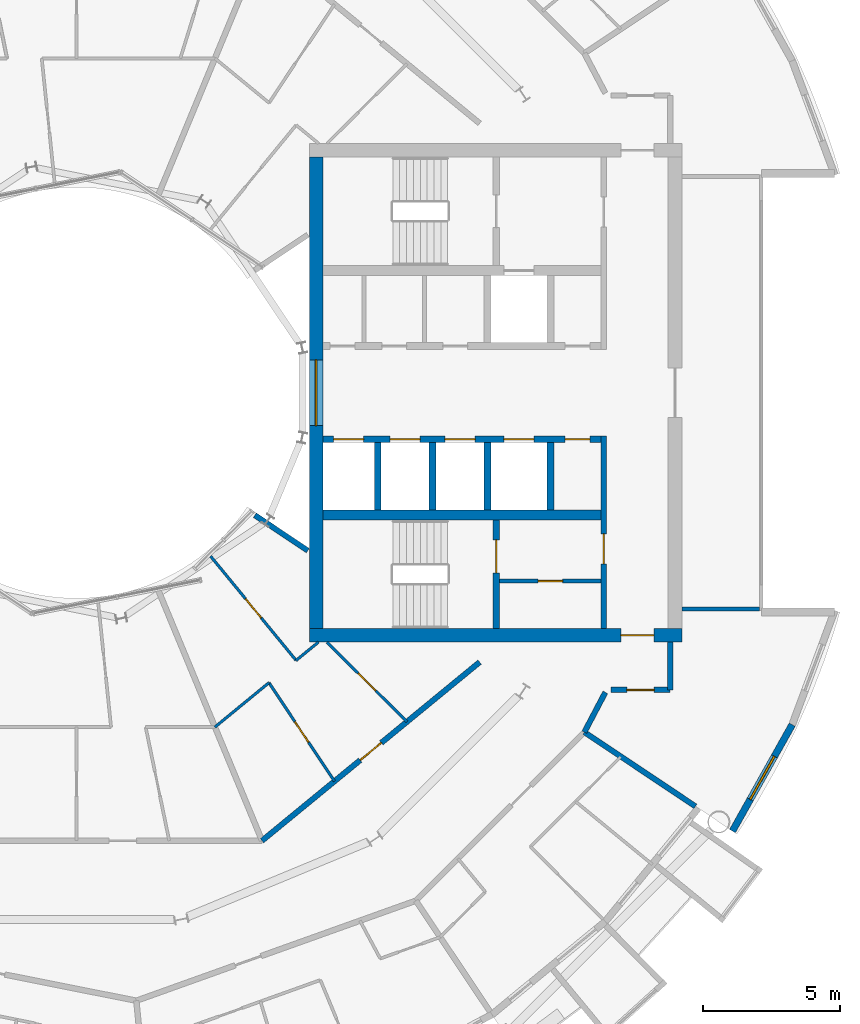
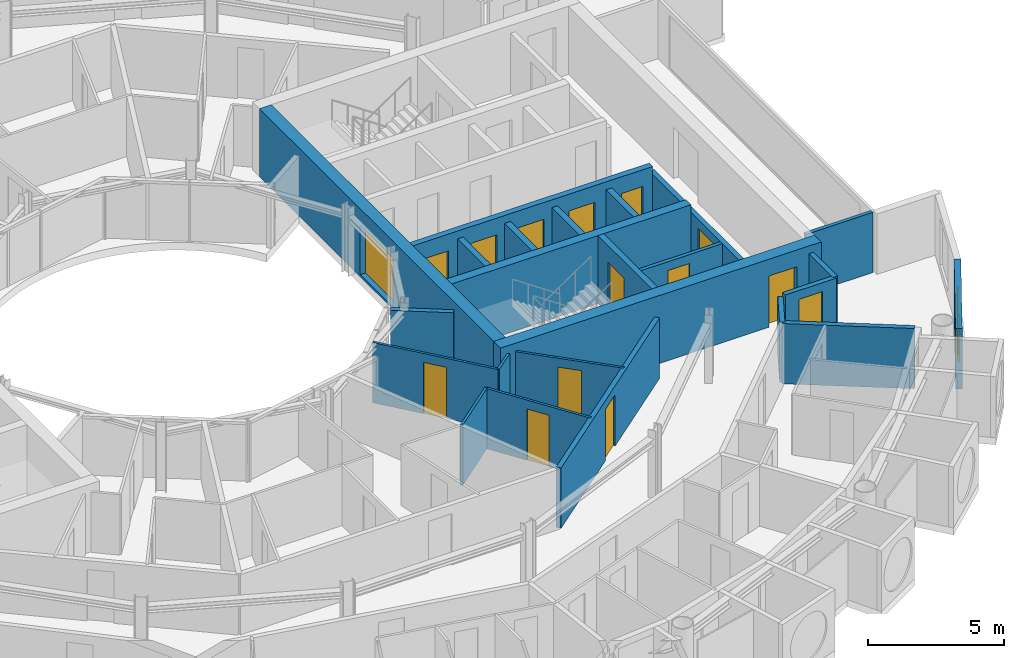
# One storey, part 18 of 28: 24 walls, 14 doors, 2 windows, 16 openings.
"""IFC4 building model written with IfcOpenShell, lengths in metres."""

from ifc_helpers import new_model, si_unit, direction, frame, frame_2d, origin, place, context, subcontext, project, spatial, rectangle, extrude, material, layer, layer_set, type_object, element, fill, save


model = new_model("IFC4")

# Units and contexts
model_context = context("Model", 3, precision=1e-05, world=origin(), true_north=direction((0.0, 1.0)))
body_context = subcontext(model_context, "Body", "Model", "MODEL_VIEW")
ifc_project = project(units=[si_unit("LENGTHUNIT", "METRE"), si_unit("AREAUNIT", "SQUARE_METRE"), si_unit("VOLUMEUNIT", "CUBIC_METRE"), si_unit("PLANEANGLEUNIT", "RADIAN"), si_unit("MASSUNIT", "GRAM", prefix="KILO")], contexts=[model_context])

# Site, building, storey
site_placement = place(None, origin())
site = spatial("IfcSite", under=ifc_project, at=site_placement, CompositionType="ELEMENT")
building_placement = place(site_placement, origin())
building = spatial("IfcBuilding", under=site, at=building_placement, Name="Maasbend Ring Residences", CompositionType="ELEMENT")
storey_placement = place(building_placement, frame((0.0, 0.0, 173.800048828125)))
storey = spatial("IfcBuildingStorey", under=building, at=storey_placement, Name="L50", CompositionType="ELEMENT", Elevation=173.800048828125)

# Wall, openings, doors
ifc_material_1 = material(Name="Concrete C60/75", Category="concrete")
ifc_layer_1 = layer(ifc_material_1, 0.25)
ifc_layer_set_1 = layer_set([ifc_layer_1], Name="Concrete C60/75")
wall_type_1 = type_object("IfcWallType", Name="CORE WALL 250 C60/75", PredefinedType="SHEAR", material=ifc_layer_set_1)
wall_1_placement = place(storey_placement, frame((19.14990234375, -1.699951171875, 0.0), z_axis=(0.0, 0.0, 1.0), x_axis=(-1.0, 0.0, 0.0)))
wall_1 = element("IfcWall", 1, at=wall_1_placement, inside=storey, type_object=wall_type_1, Name="L50 core E wall SPS", PredefinedType="SHEAR", context=body_context, shape_type="SweptSolid", body=[
    extrude(rectangle(XDim=10.14990234375, YDim=0.25, at=frame_2d((5.074951171875, 0.0))), origin(), (0.0, 0.0, 1.0), 3.050048828125),
])
opening_1_placement = place(wall_1_placement, frame((8.66259765625, 0.0, 0.0)))
opening_1 = element("IfcOpeningElement", 2, at=opening_1_placement, cuts=wall_1, Name="Opening LD-E5002", PredefinedType="OPENING", context=body_context, shape_type="SweptSolid", body=[
    extrude(rectangle(XDim=1.10009765625, YDim=2.300048828125, at=frame_2d((0.550048828125, 1.14990234375))), frame((0.0, 0.135009765625, 0.0), z_axis=(0.0, -1.0, 0.0), x_axis=(1.0, 0.0, 0.0)), (0.0, 0.0, 1.0), 0.27001953125),
])
opening_2_placement = place(wall_1_placement, frame((6.60009765625, 0.0, 0.0)))
opening_2 = element("IfcOpeningElement", 3, at=opening_2_placement, cuts=wall_1, Name="Opening LD-E5003", PredefinedType="OPENING", context=body_context, shape_type="SweptSolid", body=[
    extrude(rectangle(XDim=1.10009765625, YDim=2.300048828125, at=frame_2d((0.550048828125, 1.14990234375))), frame((0.0, 0.135009765625, 0.0), z_axis=(0.0, -1.0, 0.0), x_axis=(1.0, 0.0, 0.0)), (0.0, 0.0, 1.0), 0.27001953125),
])
opening_3_placement = place(wall_1_placement, frame((4.60009765625, 0.0, 0.0)))
opening_3 = element("IfcOpeningElement", 4, at=opening_3_placement, cuts=wall_1, Name="Opening LD-E5004", PredefinedType="OPENING", context=body_context, shape_type="SweptSolid", body=[
    extrude(rectangle(XDim=1.10009765625, YDim=2.300048828125, at=frame_2d((0.550048828125, 1.14990234375))), frame((0.0, 0.135009765625, 0.0), z_axis=(0.0, -1.0, 0.0), x_axis=(1.0, 0.0, 0.0)), (0.0, 0.0, 1.0), 0.27001953125),
])
opening_4_placement = place(wall_1_placement, frame((2.449951171875, 0.0, 0.0)))
opening_4 = element("IfcOpeningElement", 5, at=opening_4_placement, cuts=wall_1, Name="Opening LD-E5005", PredefinedType="OPENING", context=body_context, shape_type="SweptSolid", body=[
    extrude(rectangle(XDim=1.10009765625, YDim=2.300048828125, at=frame_2d((0.550048828125, 1.14990234375))), frame((0.0, 0.135009765625, 0.0), z_axis=(0.0, -1.0, 0.0), x_axis=(1.0, 0.0, 0.0)), (0.0, 0.0, 1.0), 0.27001953125),
])
opening_5_placement = place(wall_1_placement, frame((0.41259765625, 0.0, 0.0)))
opening_5 = element("IfcOpeningElement", 6, at=opening_5_placement, cuts=wall_1, Name="Opening D-E5010", PredefinedType="OPENING", context=body_context, shape_type="SweptSolid", body=[
    extrude(rectangle(XDim=0.89990234375, YDim=2.300048828125, at=frame_2d((0.449951171875, 1.14990234375))), frame((0.0, 0.135009765625, 0.0), z_axis=(0.0, -1.0, 0.0), x_axis=(1.0, 0.0, 0.0)), (0.0, 0.0, 1.0), 0.27001953125),
])
ifc_material_2 = material(Name="Stainless steel 316", Category="steel")
door_type_1 = type_object("IfcDoorType", Name="LANDING DOOR 1100 X 2300 FD60", OperationType="DOUBLE_DOOR_SLIDING", PredefinedType="DOOR", material=ifc_material_2)
door_1_placement = place(opening_1_placement, origin())
door_1 = element("IfcDoor", 7, at=door_1_placement, inside=storey, type_object=door_type_1, Name="Landing door HR-E1 L50", OperationType="DOUBLE_DOOR_SLIDING", OverallHeight=2.300048828125, OverallWidth=1.10009765625, PredefinedType="DOOR", context=body_context, shape_type="SweptSolid", body=[
    extrude(rectangle(XDim=1.10009765625, YDim=2.300048828125, at=frame_2d((0.550048828125, 1.14990234375))), frame((0.0, 0.02490234375, 0.0), z_axis=(0.0, -1.0, 0.0), x_axis=(1.0, 0.0, 0.0)), (0.0, 0.0, 1.0), 0.050048828125),
])
fill(opening_1, door_1)
door_2_placement = place(opening_2_placement, origin())
door_2 = element("IfcDoor", 8, at=door_2_placement, inside=storey, type_object=door_type_1, Name="Landing door HR-E2 L50", OperationType="DOUBLE_DOOR_SLIDING", OverallHeight=2.300048828125, OverallWidth=1.10009765625, PredefinedType="DOOR", context=body_context, shape_type="SweptSolid", body=[
    extrude(rectangle(XDim=1.10009765625, YDim=2.300048828125, at=frame_2d((0.550048828125, 1.14990234375))), frame((0.0, 0.02490234375, 0.0), z_axis=(0.0, -1.0, 0.0), x_axis=(1.0, 0.0, 0.0)), (0.0, 0.0, 1.0), 0.050048828125),
])
fill(opening_2, door_2)
door_3_placement = place(opening_3_placement, origin())
door_3 = element("IfcDoor", 9, at=door_3_placement, inside=storey, type_object=door_type_1, Name="Landing door HR-E3 L50", OperationType="DOUBLE_DOOR_SLIDING", OverallHeight=2.300048828125, OverallWidth=1.10009765625, PredefinedType="DOOR", context=body_context, shape_type="SweptSolid", body=[
    extrude(rectangle(XDim=1.10009765625, YDim=2.300048828125, at=frame_2d((0.550048828125, 1.14990234375))), frame((0.0, 0.02490234375, 0.0), z_axis=(0.0, -1.0, 0.0), x_axis=(1.0, 0.0, 0.0)), (0.0, 0.0, 1.0), 0.050048828125),
])
fill(opening_3, door_3)
door_4_placement = place(opening_4_placement, origin())
door_4 = element("IfcDoor", 10, at=door_4_placement, inside=storey, type_object=door_type_1, Name="Landing door SV-E L50", OperationType="DOUBLE_DOOR_SLIDING", OverallHeight=2.300048828125, OverallWidth=1.10009765625, PredefinedType="DOOR", context=body_context, shape_type="SweptSolid", body=[
    extrude(rectangle(XDim=1.10009765625, YDim=2.300048828125, at=frame_2d((0.550048828125, 1.14990234375))), frame((0.0, 0.02490234375, 0.0), z_axis=(0.0, -1.0, 0.0), x_axis=(1.0, 0.0, 0.0)), (0.0, 0.0, 1.0), 0.050048828125),
])
fill(opening_4, door_4)
ifc_material_3 = material(Name="Steel, powder coated", Category="steel")
door_type_2 = type_object("IfcDoorType", Name="ROOM DOOR 900 X 2300 FD30S", OperationType="NOTDEFINED", PredefinedType="DOOR", material=ifc_material_3)
door_5_placement = place(opening_5_placement, origin())
door_5 = element("IfcDoor", 11, at=door_5_placement, inside=storey, type_object=door_type_2, Name="Room door L50", OperationType="SINGLE_SWING_RIGHT", OverallHeight=2.300048828125, OverallWidth=0.89990234375, PredefinedType="DOOR", context=body_context, shape_type="SweptSolid", body=[
    extrude(rectangle(XDim=0.89990234375, YDim=2.300048828125, at=frame_2d((0.449951171875, 1.14990234375))), frame((0.0, 0.02490234375, 0.0), z_axis=(0.0, -1.0, 0.0), x_axis=(1.0, 0.0, 0.0)), (0.0, 0.0, 1.0), 0.050048828125),
])
fill(opening_5, door_5)

# Wall, opening, door
wall_2_placement = place(storey_placement, frame((15.324951171875, -8.60009765625, 0.0), z_axis=(0.0, 0.0, 1.0), x_axis=(0.0, 1.0, 0.0)))
wall_2 = element("IfcWall", 12, at=wall_2_placement, inside=storey, type_object=wall_type_1, Name="L50 core E wall STES", PredefinedType="SHEAR", context=body_context, shape_type="SweptSolid", body=[
    extrude(rectangle(XDim=3.9501953125, YDim=0.25, at=frame_2d((1.97509765625, 0.0))), origin(), (0.0, 0.0, 1.0), 3.050048828125),
])
opening_6_placement = place(wall_2_placement, frame((2.02490234375, 0.0, 0.0)))
opening_6 = element("IfcOpeningElement", 13, at=opening_6_placement, cuts=wall_2, Name="Opening D-E5013", PredefinedType="OPENING", context=body_context, shape_type="SweptSolid", body=[
    extrude(rectangle(XDim=1.199951171875, YDim=2.300048828125, at=frame_2d((0.60009765625, 1.14990234375))), frame((0.0, 0.135009765625, 0.0), z_axis=(0.0, -1.0, 0.0), x_axis=(1.0, 0.0, 0.0)), (0.0, 0.0, 1.0), 0.27001953125),
])
ifc_material_4 = material(Name="Steel, powder coated", Category="steel")
door_type_3 = type_object("IfcDoorType", Name="STAIR DOOR 1200 X 2300 FD60", OperationType="NOTDEFINED", PredefinedType="DOOR", material=ifc_material_4)
door_6_placement = place(opening_6_placement, origin())
door_6 = element("IfcDoor", 14, at=door_6_placement, inside=storey, type_object=door_type_3, Name="Stair door ST-E L50", OperationType="SINGLE_SWING_LEFT", OverallHeight=2.300048828125, OverallWidth=1.199951171875, PredefinedType="DOOR", context=body_context, shape_type="SweptSolid", body=[
    extrude(rectangle(XDim=1.199951171875, YDim=2.300048828125, at=frame_2d((0.60009765625, 1.14990234375))), frame((0.0, 0.02490234375, 0.0), z_axis=(0.0, -1.0, 0.0), x_axis=(1.0, 0.0, 0.0)), (0.0, 0.0, 1.0), 0.050048828125),
])
fill(opening_6, door_6)

# Wall
ifc_material_5 = material(Name="Concrete C60/75", Category="concrete")
ifc_layer_2 = layer(ifc_material_5, 0.375)
ifc_layer_set_2 = layer_set([ifc_layer_2], Name="Concrete C60/75")
wall_type_2 = type_object("IfcWallType", Name="CORE WALL 375 C60/75", PredefinedType="SHEAR", material=ifc_layer_set_2)
wall_3_placement = place(storey_placement, frame((9.0, -4.46240234375, 0.0), z_axis=(0.0, 0.0, 1.0), x_axis=(1.0, 0.0, 0.0)))
element("IfcWall", 15, at=wall_3_placement, inside=storey, type_object=wall_type_2, Name="L50 core E wall BS", PredefinedType="SHEAR", context=body_context, shape_type="SweptSolid", body=[
    extrude(rectangle(XDim=10.14990234375, YDim=0.375, at=frame_2d((5.074951171875, 0.0))), origin(), (0.0, 0.0, 1.0), 3.050048828125),
])

# Wall, opening, door
ifc_material_6 = material(Name="Concrete C60/75", Category="concrete")
ifc_layer_3 = layer(ifc_material_6, 0.5)
ifc_layer_set_3 = layer_set([ifc_layer_3], Name="Concrete C60/75")
wall_type_3 = type_object("IfcWallType", Name="CORE WALL 500 C60/75", PredefinedType="SHEAR", material=ifc_layer_set_3)
wall_4_placement = place(storey_placement, frame((8.5, -8.85009765625, 0.0), z_axis=(0.0, 0.0, 1.0), x_axis=(1.0, 0.0, 0.0)))
wall_4 = element("IfcWall", 16, at=wall_4_placement, inside=storey, type_object=wall_type_3, Name="L50 core E wall PS", PredefinedType="SHEAR", context=body_context, shape_type="SweptSolid", body=[
    extrude(rectangle(XDim=13.60009765625, YDim=0.5, at=frame_2d((6.800048828125, 0.0))), origin(), (0.0, 0.0, 1.0), 3.050048828125),
])
opening_7_placement = place(wall_4_placement, frame((11.375, 0.0, 0.0)))
opening_7 = element("IfcOpeningElement", 17, at=opening_7_placement, cuts=wall_4, Name="Opening D-E5017", PredefinedType="OPENING", context=body_context, shape_type="SweptSolid", body=[
    extrude(rectangle(XDim=1.199951171875, YDim=2.300048828125, at=frame_2d((0.60009765625, 1.14990234375))), frame((0.0, 0.260009765625, 0.0), z_axis=(0.0, -1.0, 0.0), x_axis=(1.0, 0.0, 0.0)), (0.0, 0.0, 1.0), 0.52001953125),
])
ifc_material_7 = material(Name="Steel, powder coated", Category="steel")
door_type_4 = type_object("IfcDoorType", Name="CORRIDOR DOOR 1200 X 2300 FD30S", OperationType="NOTDEFINED", PredefinedType="DOOR", material=ifc_material_7)
door_7_placement = place(opening_7_placement, origin())
door_7 = element("IfcDoor", 18, at=door_7_placement, inside=storey, type_object=door_type_4, Name="Corridor door L50", OperationType="SINGLE_SWING_LEFT", OverallHeight=2.300048828125, OverallWidth=1.199951171875, PredefinedType="DOOR", context=body_context, shape_type="SweptSolid", body=[
    extrude(rectangle(XDim=1.199951171875, YDim=2.300048828125, at=frame_2d((0.60009765625, 1.14990234375))), frame((0.0, 0.02490234375, 0.0), z_axis=(0.0, -1.0, 0.0), x_axis=(1.0, 0.0, 0.0)), (0.0, 0.0, 1.0), 0.050048828125),
])
fill(opening_7, door_7)

# Wall, opening, window
wall_5_placement = place(storey_placement, frame((8.75, -8.60009765625, 0.0), z_axis=(0.0, 0.0, 1.0), x_axis=(0.0, 1.0, 0.0)))
wall_5 = element("IfcWall", 19, at=wall_5_placement, inside=storey, type_object=wall_type_3, Name="L50 core E wall PIN", PredefinedType="SHEAR", context=body_context, shape_type="SweptSolid", body=[
    extrude(rectangle(XDim=17.2001953125, YDim=0.5, at=frame_2d((8.60009765625, 0.0))), origin(), (0.0, 0.0, 1.0), 3.050048828125),
])
opening_8_placement = place(wall_5_placement, frame((7.39990234375, 0.0, 0.10009765625)))
opening_8 = element("IfcOpeningElement", 20, at=opening_8_placement, cuts=wall_5, Name="Opening W-E5001", PredefinedType="OPENING", context=body_context, shape_type="SweptSolid", body=[
    extrude(rectangle(XDim=2.39990234375, YDim=2.199951171875, at=frame_2d((1.199951171875, 1.10009765625))), frame((0.0, 0.260009765625, 0.0), z_axis=(0.0, -1.0, 0.0), x_axis=(1.0, 0.0, 0.0)), (0.0, 0.0, 1.0), 0.52001953125),
])
ifc_material_8 = material(Name="Aluminium frame and clear glass", Category="aluminium")
window_type_1 = type_object("IfcWindowType", Name="FIXED WINDOW 2400 X 2200", PartitioningType="SINGLE_PANEL", PredefinedType="WINDOW", material=ifc_material_8)
window_1_placement = place(opening_8_placement, origin())
window_1 = element("IfcWindow", 21, at=window_1_placement, inside=storey, type_object=window_type_1, Name="Lobby window L50", OverallHeight=2.199951171875, OverallWidth=2.39990234375, PartitioningType="SINGLE_PANEL", PredefinedType="WINDOW", context=body_context, shape_type="SweptSolid", body=[
    extrude(rectangle(XDim=2.39990234375, YDim=2.199951171875, at=frame_2d((1.199951171875, 1.10009765625))), frame((0.0, 0.030029296875, 0.0), z_axis=(0.0, -1.0, 0.0), x_axis=(1.0, 0.0, 0.0)), (0.0, 0.0, 1.0), 0.06005859375),
])
fill(opening_8, window_1)

# Walls
ifc_material_9 = material(Name="Concrete C30/37", Category="concrete")
ifc_layer_4 = layer(ifc_material_9, 0.199951171875)
ifc_layer_set_4 = layer_set([ifc_layer_4], Name="Concrete C30/37")
wall_type_4 = type_object("IfcWallType", Name="CORRIDOR WALL 200 CONCRETE", PredefinedType="PARTITIONING", material=ifc_layer_set_4)
wall_6_placement = place(storey_placement, frame((18.5419921875, -12.388916015625, 0.0), z_axis=(0.0, 0.0, 1.0), x_axis=(0.465605550524, 0.884992356646, 0.0)))
element("IfcWall", 22, at=wall_6_placement, inside=storey, type_object=wall_type_4, Name="U-L50-w010", PredefinedType="PARTITIONING", context=body_context, shape_type="SweptSolid", body=[
    extrude(rectangle(XDim=1.642822265625, YDim=0.199951171875, at=frame_2d((0.8212890625, 0.0))), origin(), (0.0, 0.0, 1.0), 2.699951171875),
])
wall_7_placement = place(storey_placement, frame((21.675048828125, -10.85009765625, 0.0), z_axis=(0.0, 0.0, 1.0), x_axis=(0.0, 1.0, 0.0)))
element("IfcWall", 23, at=wall_7_placement, inside=storey, type_object=wall_type_4, Name="U-L50-w012", PredefinedType="PARTITIONING", context=body_context, shape_type="SweptSolid", body=[
    extrude(rectangle(XDim=1.75, YDim=0.199951171875, at=frame_2d((0.875, 0.0))), origin(), (0.0, 0.0, 1.0), 2.699951171875),
])

# Wall, opening, door
wall_8_placement = place(storey_placement, frame((6.77294921875, -16.35302734375, 0.0), z_axis=(0.0, 0.0, 1.0), x_axis=(0.773034536097, 0.634363938131, 0.0)))
wall_8 = element("IfcWall", 24, at=wall_8_placement, inside=storey, type_object=wall_type_4, Name="U-L50-w018", PredefinedType="PARTITIONING", context=body_context, shape_type="SweptSolid", body=[
    extrude(rectangle(XDim=10.276611328125, YDim=0.199951171875, at=frame_2d((5.13818359375, 0.0))), origin(), (0.0, 0.0, 1.0), 2.699951171875),
])
opening_9_placement = place(wall_8_placement, frame((4.637939453125, 0.0, 0.0)))
opening_9 = element("IfcOpeningElement", 25, at=opening_9_placement, cuts=wall_8, Name="Opening D-5061", PredefinedType="OPENING", context=body_context, shape_type="SweptSolid", body=[
    extrude(rectangle(XDim=1.0, YDim=2.300048828125, at=frame_2d((0.5, 1.14990234375))), frame((0.0, 0.10986328125, 0.0), z_axis=(0.0, -1.0, 0.0), x_axis=(1.0, 0.0, 0.0)), (0.0, 0.0, 1.0), 0.219970703125),
])
ifc_material_10 = material(Name="Timber, fire-rated, painted", Category="wood")
door_type_5 = type_object("IfcDoorType", Name="FLAT ENTRANCE DOOR 1000 X 2300 FIRE-RATED", OperationType="NOTDEFINED", PredefinedType="DOOR", material=ifc_material_10)
door_8_placement = place(opening_9_placement, origin())
door_8 = element("IfcDoor", 26, at=door_8_placement, inside=storey, type_object=door_type_5, Name="D-5061", OperationType="SINGLE_SWING_RIGHT", OverallHeight=2.300048828125, OverallWidth=1.0, PredefinedType="DOOR", context=body_context, shape_type="SweptSolid", body=[
    extrude(rectangle(XDim=1.0, YDim=2.300048828125, at=frame_2d((0.5, 1.14990234375))), frame((0.0, 0.02490234375, 0.0), z_axis=(0.0, -1.0, 0.0), x_axis=(1.0, 0.0, 0.0)), (0.0, 0.0, 1.0), 0.050048828125),
])
fill(opening_9, door_8)

wall_9_placement = place(storey_placement, frame((19.50390625, -10.85009765625, 0.0), z_axis=(0.0, 0.0, 1.0), x_axis=(1.0, 0.0, 0.0)))
wall_9 = element("IfcWall", 27, at=wall_9_placement, inside=storey, type_object=wall_type_4, Name="U-L50-w027", PredefinedType="PARTITIONING", context=body_context, shape_type="SweptSolid", body=[
    extrude(rectangle(XDim=2.171142578125, YDim=0.199951171875, at=frame_2d((1.08544921875, 0.0))), origin(), (0.0, 0.0, 1.0), 2.699951171875),
])
opening_10_placement = place(wall_9_placement, frame((0.5849609375, 0.0, 0.0)))
opening_10 = element("IfcOpeningElement", 28, at=opening_10_placement, cuts=wall_9, Name="Opening D-5067", PredefinedType="OPENING", context=body_context, shape_type="SweptSolid", body=[
    extrude(rectangle(XDim=1.0, YDim=2.300048828125, at=frame_2d((0.5, 1.14990234375))), frame((0.0, 0.10986328125, 0.0), z_axis=(0.0, -1.0, 0.0), x_axis=(1.0, 0.0, 0.0)), (0.0, 0.0, 1.0), 0.219970703125),
])
ifc_material_11 = material(Name="Timber, painted", Category="wood")
door_type_6 = type_object("IfcDoorType", Name="ROOM DOOR 1000 X 2300", OperationType="NOTDEFINED", PredefinedType="DOOR", material=ifc_material_11)
door_9_placement = place(opening_10_placement, origin())
door_9 = element("IfcDoor", 29, at=door_9_placement, inside=storey, type_object=door_type_6, Name="D-5067", OperationType="SINGLE_SWING_LEFT", OverallHeight=2.300048828125, OverallWidth=1.0, PredefinedType="DOOR", context=body_context, shape_type="SweptSolid", body=[
    extrude(rectangle(XDim=1.0, YDim=2.300048828125, at=frame_2d((0.5, 1.14990234375))), frame((0.0, 0.02490234375, 0.0), z_axis=(0.0, -1.0, 0.0), x_axis=(1.0, 0.0, 0.0)), (0.0, 0.0, 1.0), 0.050048828125),
])
fill(opening_10, door_9)

# Wall, opening, window
ifc_material_12 = material(Name="Aluminium clad insulated panel", Category="aluminium")
ifc_layer_5 = layer(ifc_material_12, 0.25)
ifc_layer_set_5 = layer_set([ifc_layer_5], Name="EW-HORN")
wall_type_5 = type_object("IfcWallType", Name="EW-HORN", PredefinedType="SOLIDWALL", material=ifc_layer_set_5)
wall_10_placement = place(storey_placement, frame((23.946044921875, -16.0, 0.0), z_axis=(0.0, 0.0, 1.0), x_axis=(0.489696356642, 0.871893042919, 0.0)))
wall_10 = element("IfcWall", 30, at=wall_10_placement, inside=storey, type_object=wall_type_5, Name="Horn wall 2.1", PredefinedType="SOLIDWALL", context=body_context, shape_type="SweptSolid", body=[
    extrude(rectangle(XDim=4.45361328125, YDim=0.25, at=frame_2d((2.226806640625, 0.0))), origin(), (0.0, 0.0, 1.0), 2.699951171875),
])
opening_11_placement = place(wall_10_placement, frame((1.32666015625, 0.0, 0.300048828125)))
opening_11 = element("IfcOpeningElement", 31, at=opening_11_placement, cuts=wall_10, Name="Opening W-BX", PredefinedType="OPENING", context=body_context, shape_type="SweptSolid", body=[
    extrude(rectangle(XDim=1.800048828125, YDim=2.10009765625, at=frame_2d((0.89990234375, 1.050048828125))), frame((0.0, 0.135009765625, 0.0), z_axis=(0.0, -1.0, 0.0), x_axis=(1.0, 0.0, 0.0)), (0.0, 0.0, 1.0), 0.27001953125),
])
ifc_material_13 = material(Name="Aluminium and clear glass", Category="aluminium")
window_type_2 = type_object("IfcWindowType", Name="W-BX", PartitioningType="DOUBLE_PANEL_VERTICAL", PredefinedType="WINDOW", material=ifc_material_13)
window_2_placement = place(opening_11_placement, origin())
window_2 = element("IfcWindow", 32, at=window_2_placement, inside=storey, type_object=window_type_2, Name="Horn window 2.1", OverallHeight=2.10009765625, OverallWidth=1.800048828125, PartitioningType="SINGLE_PANEL", PredefinedType="WINDOW", context=body_context, shape_type="SweptSolid", body=[
    extrude(rectangle(XDim=1.800048828125, YDim=2.10009765625, at=frame_2d((0.89990234375, 1.050048828125))), frame((0.0, 0.030029296875, 0.0), z_axis=(0.0, -1.0, 0.0), x_axis=(1.0, 0.0, 0.0)), (0.0, 0.0, 1.0), 0.06005859375),
])
fill(opening_11, window_2)

# Walls
ifc_material_14 = material(Name="Gypsum board on steel studs", Category="steel")
ifc_layer_6 = layer(ifc_material_14, 0.10009765625)
ifc_layer_set_6 = layer_set([ifc_layer_6], Name="PARTITION 100 GYPSUM")
wall_type_6 = type_object("IfcWallType", Name="PARTITION 100 GYPSUM", PredefinedType="PARTITIONING", material=ifc_layer_set_6)
wall_11_placement = place(storey_placement, frame((5.054931640625, -12.2041015625, 0.0), z_axis=(0.0, 0.0, 1.0), x_axis=(0.772943675046, 0.634474645046, 0.0)))
element("IfcWall", 33, at=wall_11_placement, inside=storey, type_object=wall_type_6, Name="U-L50-w022", PredefinedType="PARTITIONING", context=body_context, shape_type="SweptSolid", body=[
    extrude(rectangle(XDim=2.556640625, YDim=0.10009765625, at=frame_2d((1.2783203125, 0.0))), origin(), (0.0, 0.0, 1.0), 2.699951171875),
])
wall_12_placement = place(storey_placement, frame((8.01611328125, -9.77294921875, 0.0), z_axis=(0.0, 0.0, 1.0), x_axis=(0.7731800648, 0.634186555673, 0.0)))
element("IfcWall", 34, at=wall_12_placement, inside=storey, type_object=wall_type_6, Name="U-L50-w023", PredefinedType="PARTITIONING", context=body_context, shape_type="SweptSolid", body=[
    extrude(rectangle(XDim=1.064453125, YDim=0.10009765625, at=frame_2d((0.5322265625, 0.0))), origin(), (0.0, 0.0, 1.0), 2.699951171875),
])

# Wall, opening, door
wall_13_placement = place(storey_placement, frame((4.89794921875, -5.968017578125, 0.0), z_axis=(0.0, 0.0, 1.0), x_axis=(0.634401778971, -0.773003481776, 0.0)))
wall_13 = element("IfcWall", 35, at=wall_13_placement, inside=storey, type_object=wall_type_6, Name="U-L50-w073", PredefinedType="PARTITIONING", context=body_context, shape_type="SweptSolid", body=[
    extrude(rectangle(XDim=4.919677734375, YDim=0.10009765625, at=frame_2d((2.4599609375, 0.0))), origin(), (0.0, 0.0, 1.0), 2.699951171875),
])
opening_12_placement = place(wall_13_placement, frame((2.010009765625, 0.0, 0.0)))
opening_12 = element("IfcOpeningElement", 36, at=opening_12_placement, cuts=wall_13, Name="Opening D-5064", PredefinedType="OPENING", context=body_context, shape_type="SweptSolid", body=[
    extrude(rectangle(XDim=0.89990234375, YDim=2.300048828125, at=frame_2d((0.449951171875, 1.14990234375))), frame((0.0, 0.06005859375, 0.0), z_axis=(0.0, -1.0, 0.0), x_axis=(1.0, 0.0, 0.0)), (0.0, 0.0, 1.0), 0.1201171875),
])
ifc_material_15 = material(Name="Timber, painted", Category="wood")
door_type_7 = type_object("IfcDoorType", Name="INTERNAL DOOR 900 X 2300", OperationType="NOTDEFINED", PredefinedType="DOOR", material=ifc_material_15)
door_10_placement = place(opening_12_placement, origin())
door_10 = element("IfcDoor", 37, at=door_10_placement, inside=storey, type_object=door_type_7, Name="D-5064", OperationType="SINGLE_SWING_RIGHT", OverallHeight=2.300048828125, OverallWidth=0.89990234375, PredefinedType="DOOR", context=body_context, shape_type="SweptSolid", body=[
    extrude(rectangle(XDim=0.89990234375, YDim=2.300048828125, at=frame_2d((0.449951171875, 1.14990234375))), frame((0.0, 0.02490234375, 0.0), z_axis=(0.0, -1.0, 0.0), x_axis=(1.0, 0.0, 0.0)), (0.0, 0.0, 1.0), 0.050048828125),
])
fill(opening_12, door_10)

wall_14_placement = place(storey_placement, frame((7.028076171875, -10.583984375, 0.0), z_axis=(0.0, 0.0, 1.0), x_axis=(0.553303732327, -0.832979579457, 0.0)))
wall_14 = element("IfcWall", 38, at=wall_14_placement, inside=storey, type_object=wall_type_6, Name="U-L50-w076", PredefinedType="PARTITIONING", context=body_context, shape_type="SweptSolid", body=[
    extrude(rectangle(XDim=4.3193359375, YDim=0.10009765625, at=frame_2d((2.15966796875, 0.0))), origin(), (0.0, 0.0, 1.0), 2.699951171875),
])
opening_13_placement = place(wall_14_placement, frame((1.7099609375, 0.0, 0.0)))
opening_13 = element("IfcOpeningElement", 39, at=opening_13_placement, cuts=wall_14, Name="Opening D-5062", PredefinedType="OPENING", context=body_context, shape_type="SweptSolid", body=[
    extrude(rectangle(XDim=0.89990234375, YDim=2.300048828125, at=frame_2d((0.449951171875, 1.14990234375))), frame((0.0, 0.06005859375, 0.0), z_axis=(0.0, -1.0, 0.0), x_axis=(1.0, 0.0, 0.0)), (0.0, 0.0, 1.0), 0.1201171875),
])
door_11_placement = place(opening_13_placement, origin())
door_11 = element("IfcDoor", 40, at=door_11_placement, inside=storey, type_object=door_type_7, Name="D-5062", OperationType="SINGLE_SWING_LEFT", OverallHeight=2.300048828125, OverallWidth=0.89990234375, PredefinedType="DOOR", context=body_context, shape_type="SweptSolid", body=[
    extrude(rectangle(XDim=0.89990234375, YDim=2.300048828125, at=frame_2d((0.449951171875, 1.14990234375))), frame((0.0, 0.02490234375, 0.0), z_axis=(0.0, -1.0, 0.0), x_axis=(1.0, 0.0, 0.0)), (0.0, 0.0, 1.0), 0.050048828125),
])
fill(opening_13, door_11)

wall_15_placement = place(storey_placement, frame((9.14404296875, -9.10400390625, 0.0), z_axis=(0.0, 0.0, 1.0), x_axis=(0.708793214553, -0.705416316088, 0.0)))
wall_15 = element("IfcWall", 41, at=wall_15_placement, inside=storey, type_object=wall_type_6, Name="U-L50-w080", PredefinedType="PARTITIONING", context=body_context, shape_type="SweptSolid", body=[
    extrude(rectangle(XDim=4.120849609375, YDim=0.10009765625, at=frame_2d((2.060546875, 0.0))), origin(), (0.0, 0.0, 1.0), 2.699951171875),
])
opening_14_placement = place(wall_15_placement, frame((1.611083984375, 0.0, 0.0)))
opening_14 = element("IfcOpeningElement", 42, at=opening_14_placement, cuts=wall_15, Name="Opening D-5063", PredefinedType="OPENING", context=body_context, shape_type="SweptSolid", body=[
    extrude(rectangle(XDim=0.89990234375, YDim=2.300048828125, at=frame_2d((0.449951171875, 1.14990234375))), frame((0.0, 0.06005859375, 0.0), z_axis=(0.0, -1.0, 0.0), x_axis=(1.0, 0.0, 0.0)), (0.0, 0.0, 1.0), 0.1201171875),
])
door_12_placement = place(opening_14_placement, origin())
door_12 = element("IfcDoor", 43, at=door_12_placement, inside=storey, type_object=door_type_7, Name="D-5063", OperationType="SINGLE_SWING_RIGHT", OverallHeight=2.300048828125, OverallWidth=0.89990234375, PredefinedType="DOOR", context=body_context, shape_type="SweptSolid", body=[
    extrude(rectangle(XDim=0.89990234375, YDim=2.300048828125, at=frame_2d((0.449951171875, 1.14990234375))), frame((0.0, 0.02490234375, 0.0), z_axis=(0.0, -1.0, 0.0), x_axis=(1.0, 0.0, 0.0)), (0.0, 0.0, 1.0), 0.050048828125),
])
fill(opening_14, door_12)

ifc_material_16 = material(Name="Gypsum board on steel studs", Category="steel")
ifc_layer_7 = layer(ifc_material_16, 0.14990234375)
ifc_layer_set_7 = layer_set([ifc_layer_7], Name="PARTITION 150 EI 60")
wall_type_7 = type_object("IfcWallType", Name="PARTITION 150 EI 60", PredefinedType="PARTITIONING", material=ifc_layer_set_7)
wall_16_placement = place(storey_placement, frame((15.449951171875, -6.875, 0.0), z_axis=(0.0, 0.0, 1.0), x_axis=(1.0, 0.0, 0.0)))
wall_16 = element("IfcWall", 44, at=wall_16_placement, inside=storey, type_object=wall_type_7, Name="L50 core E wall RHS", PredefinedType="PARTITIONING", context=body_context, shape_type="SweptSolid", body=[
    extrude(rectangle(XDim=3.699951171875, YDim=0.14990234375, at=frame_2d((1.85009765625, 0.0))), origin(), (0.0, 0.0, 1.0), 2.699951171875),
])
opening_15_placement = place(wall_16_placement, frame((1.39990234375, 0.0, 0.0)))
opening_15 = element("IfcOpeningElement", 45, at=opening_15_placement, cuts=wall_16, Name="Opening D-E5011", PredefinedType="OPENING", context=body_context, shape_type="SweptSolid", body=[
    extrude(rectangle(XDim=0.89990234375, YDim=2.300048828125, at=frame_2d((0.449951171875, 1.14990234375))), frame((0.0, 0.0849609375, 0.0), z_axis=(0.0, -1.0, 0.0), x_axis=(1.0, 0.0, 0.0)), (0.0, 0.0, 1.0), 0.169921875),
])
ifc_material_17 = material(Name="Steel, powder coated", Category="steel")
door_type_8 = type_object("IfcDoorType", Name="RISER DOOR 900 X 2300 FD60", OperationType="NOTDEFINED", PredefinedType="DOOR", material=ifc_material_17)
door_13_placement = place(opening_15_placement, origin())
door_13 = element("IfcDoor", 46, at=door_13_placement, inside=storey, type_object=door_type_8, Name="Riser door L50", OperationType="SINGLE_SWING_LEFT", OverallHeight=2.300048828125, OverallWidth=0.89990234375, PredefinedType="DOOR", context=body_context, shape_type="SweptSolid", body=[
    extrude(rectangle(XDim=0.89990234375, YDim=2.300048828125, at=frame_2d((0.449951171875, 1.14990234375))), frame((0.0, 0.02490234375, 0.0), z_axis=(0.0, -1.0, 0.0), x_axis=(1.0, 0.0, 0.0)), (0.0, 0.0, 1.0), 0.050048828125),
])
fill(opening_15, door_13)

# Walls
wall_17_placement = place(storey_placement, frame((22.10009765625, -7.89990234375, 0.0), z_axis=(0.0, 0.0, 1.0), x_axis=(1.0, 0.0, 0.0)))
element("IfcWall", 47, at=wall_17_placement, inside=storey, type_object=wall_type_7, Name="L50 core E wall CITS", PredefinedType="PARTITIONING", context=body_context, shape_type="SweptSolid", body=[
    extrude(rectangle(XDim=2.83984375, YDim=0.14990234375, at=frame_2d((1.419921875, 0.0))), origin(), (0.0, 0.0, 1.0), 2.699951171875),
])
ifc_material_18 = material(Name="Concrete C30/37", Category="concrete")
ifc_layer_8 = layer(ifc_material_18, 0.199951171875)
ifc_layer_set_8 = layer_set([ifc_layer_8], Name="Concrete C30/37")
wall_type_8 = type_object("IfcWallType", Name="PARTY WALL 200 CONCRETE", PredefinedType="PARTITIONING", material=ifc_layer_set_8)
wall_18_placement = place(storey_placement, frame((6.512939453125, -4.471923828125, 0.0), z_axis=(0.0, 0.0, 1.0), x_axis=(0.83133816625, -0.555766905579, 0.0)))
element("IfcWall", 48, at=wall_18_placement, inside=storey, type_object=wall_type_8, Name="U-L50-w029", PredefinedType="PARTITIONING", context=body_context, shape_type="SweptSolid", body=[
    extrude(rectangle(XDim=2.322998046875, YDim=0.199951171875, at=frame_2d((1.16162109375, 0.0))), origin(), (0.0, 0.0, 1.0), 2.699951171875),
])
wall_19_placement = place(storey_placement, frame((18.5419921875, -12.388916015625, 0.0), z_axis=(0.0, 0.0, 1.0), x_axis=(0.831387096605, -0.55569370664, 0.0)))
element("IfcWall", 49, at=wall_19_placement, inside=storey, type_object=wall_type_8, Name="U-L50-w089", PredefinedType="PARTITIONING", context=body_context, shape_type="SweptSolid", body=[
    extrude(rectangle(XDim=4.875, YDim=0.199951171875, at=frame_2d((2.4375, 0.0))), origin(), (0.0, 0.0, 1.0), 2.699951171875),
])

# Wall, opening, door
ifc_material_19 = material(Name="Concrete C30/37", Category="concrete")
ifc_layer_9 = layer(ifc_material_19, 0.199951171875)
ifc_layer_set_9 = layer_set([ifc_layer_9], Name="Concrete C30/37")
wall_type_9 = type_object("IfcWallType", Name="SHAFT WALL 200 EI 120", PredefinedType="SOLIDWALL", material=ifc_layer_set_9)
wall_20_placement = place(storey_placement, frame((19.25, -8.60009765625, 0.0), z_axis=(0.0, 0.0, 1.0), x_axis=(0.0, 1.0, 0.0)))
wall_20 = element("IfcWall", 50, at=wall_20_placement, inside=storey, type_object=wall_type_9, Name="L50 core E wall ENDS", PredefinedType="SOLIDWALL", context=body_context, shape_type="SweptSolid", body=[
    extrude(rectangle(XDim=7.025146484375, YDim=0.199951171875, at=frame_2d((3.5126953125, 0.0))), origin(), (0.0, 0.0, 1.0), 2.699951171875),
])
opening_16_placement = place(wall_20_placement, frame((2.35009765625, 0.0, 0.0)))
opening_16 = element("IfcOpeningElement", 51, at=opening_16_placement, cuts=wall_20, Name="Opening D-E5015", PredefinedType="OPENING", context=body_context, shape_type="SweptSolid", body=[
    extrude(rectangle(XDim=1.10009765625, YDim=2.300048828125, at=frame_2d((0.550048828125, 1.14990234375))), frame((0.0, 0.10986328125, 0.0), z_axis=(0.0, -1.0, 0.0), x_axis=(1.0, 0.0, 0.0)), (0.0, 0.0, 1.0), 0.219970703125),
])
ifc_material_20 = material(Name="Steel, powder coated", Category="steel")
door_type_9 = type_object("IfcDoorType", Name="LOBBY DOOR 1100 X 2300 FD60", OperationType="NOTDEFINED", PredefinedType="DOOR", material=ifc_material_20)
door_14_placement = place(opening_16_placement, origin())
door_14 = element("IfcDoor", 52, at=door_14_placement, inside=storey, type_object=door_type_9, Name="Lobby door L50", OperationType="SINGLE_SWING_RIGHT", OverallHeight=2.300048828125, OverallWidth=1.10009765625, PredefinedType="DOOR", context=body_context, shape_type="SweptSolid", body=[
    extrude(rectangle(XDim=1.10009765625, YDim=2.300048828125, at=frame_2d((0.550048828125, 1.14990234375))), frame((0.0, 0.02490234375, 0.0), z_axis=(0.0, -1.0, 0.0), x_axis=(1.0, 0.0, 0.0)), (0.0, 0.0, 1.0), 0.050048828125),
])
fill(opening_16, door_14)

# Walls
ifc_material_21 = material(Name="Concrete C30/37", Category="concrete")
ifc_layer_10 = layer(ifc_material_21, 0.25)
ifc_layer_set_10 = layer_set([ifc_layer_10], Name="Concrete C30/37")
wall_type_10 = type_object("IfcWallType", Name="SHAFT WALL 250 EI 120", PredefinedType="SOLIDWALL", material=ifc_layer_set_10)
for number, where, z_axis, x_axis, name in (
    (53, (15.0, -1.824951171875, 0.0), (0.0, 0.0, 1.0), (0.0, -1.0, 0.0), "L50 core E wall D150S"),
    (54, (17.300048828125, -1.824951171875, 0.0), (0.0, 0.0, 1.0), (0.0, -1.0, 0.0), "L50 core E wall D173S"),
    (55, (11.0, -1.824951171875, 0.0), (0.0, 0.0, 1.0), (0.0, -1.0, 0.0), "L50 core E wall D110S"),
    (56, (13.0, -1.824951171875, 0.0), (0.0, 0.0, 1.0), (0.0, -1.0, 0.0), "L50 core E wall D130S"),
):
    element("IfcWall", number, at=place(storey_placement, frame(where, z_axis=z_axis, x_axis=x_axis)), inside=storey, type_object=wall_type_10, Name=name, PredefinedType="SOLIDWALL", context=body_context, shape_type="SweptSolid", body=[
        extrude(rectangle(XDim=2.449951171875, YDim=0.25, at=frame_2d((1.22509765625, 0.0))), origin(), (0.0, 0.0, 1.0), 2.699951171875),
    ])

save(model, "model.ifc")
